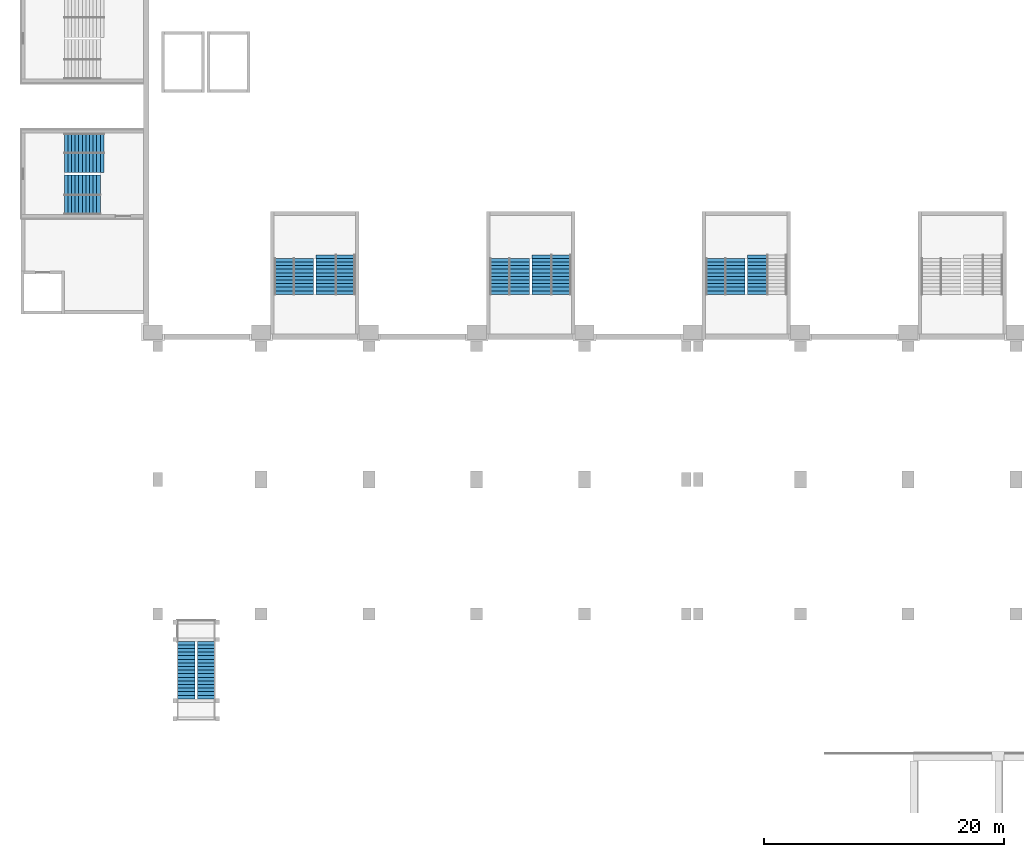
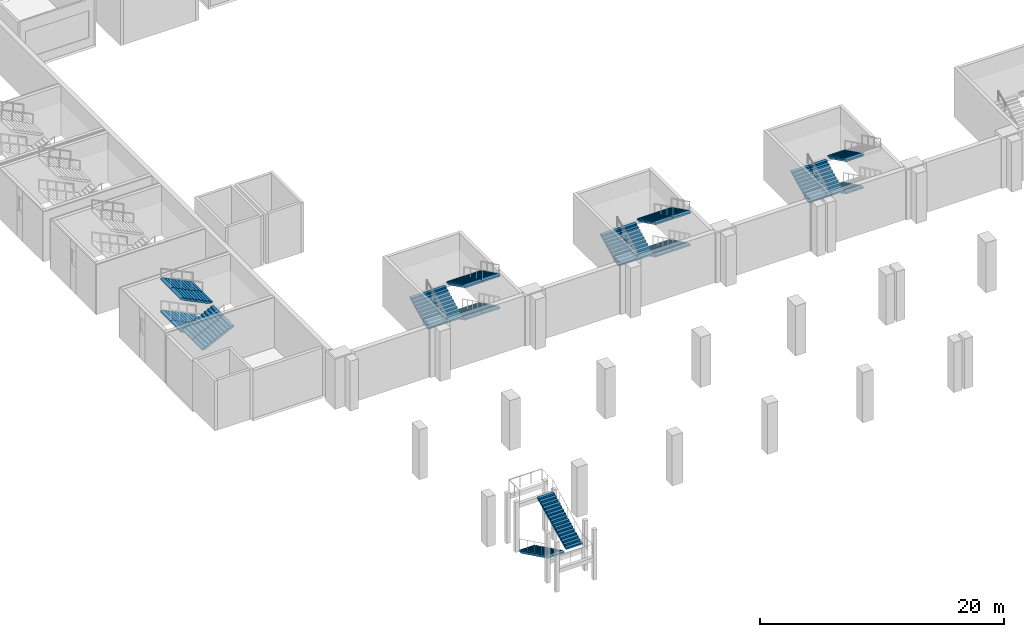
# One storey, part 47 of 67: 24 stair flights, 9 elements without a shape of their own.
"""IFC4 building model written with IfcOpenShell, lengths in metres."""

from ifc_helpers import new_model, si_unit, direction, frame, origin, place, context, subcontext, project, spatial, polyline, outline, extrude, material, type_object, element, aggregate, save


model = new_model("IFC4")

# Units and contexts
model_context = context("Model", 3, precision=1e-05, world=origin(), true_north=direction((0.0, 1.0)))
body_context = subcontext(model_context, "Body", "Model", "MODEL_VIEW")
ifc_project = project(units=[si_unit("LENGTHUNIT", "METRE"), si_unit("AREAUNIT", "SQUARE_METRE"), si_unit("VOLUMEUNIT", "CUBIC_METRE"), si_unit("PLANEANGLEUNIT", "RADIAN"), si_unit("MASSUNIT", "GRAM", prefix="KILO")], contexts=[model_context])

# Site, building, storey
site_placement = place(None, origin())
site = spatial("IfcSite", under=ifc_project, at=site_placement, CompositionType="ELEMENT")
building_placement = place(site_placement, origin())
building = spatial("IfcBuilding", under=site, at=building_placement, Name="Aravalli Gate Trade Fair Centre", CompositionType="ELEMENT")
storey_placement = place(building_placement, frame((0.0, 0.0, 5.0)))
storey = spatial("IfcBuildingStorey", under=building, at=storey_placement, Name="L01", CompositionType="ELEMENT", Elevation=5.0)

# Stair, stair flights
ifc_material_1 = material(Name="Concrete M45", Category="concrete")
stair_type_1 = type_object("IfcStairType", Name="External stair 1500", PredefinedType="HALF_TURN_STAIR", material=ifc_material_1)
stair_1_placement = place(storey_placement, origin())
stair_1 = element("IfcStair", 1, at=stair_1_placement, inside=storey, type_object=stair_type_1, Name="External stair 1 L01", PredefinedType="HALF_TURN_STAIR")
stair_flight_type_1 = type_object("IfcStairFlightType", Name="External stair flight 1500", PredefinedType="STRAIGHT", material=ifc_material_1)
stair_flight_1_placement = place(storey_placement, frame((8.75, 20.199951171875, 0.0), z_axis=(0.0, 0.0, 1.0), x_axis=(0.0, -1.0, 0.0)))
stair_flight_1 = element("IfcStairFlight", 2, at=stair_flight_1_placement, type_object=stair_flight_type_1, Name="SST2 flight 1", NumberOfRisers=17, NumberOfTreads=16, PredefinedType="STRAIGHT", RiserHeight=0.147058824, TreadLength=0.3, context=body_context, shape_type="SweptSolid", body=[
    extrude(outline(polyline([(0.0, 0.0), (0.0, 0.14697265625), (0.300048828125, 0.14697265625), (0.300048828125, 0.294189453125), (0.60009765625, 0.294189453125), (0.60009765625, 0.441162109375), (0.89990234375, 0.441162109375), (0.89990234375, 0.588134765625), (1.199951171875, 0.588134765625), (1.199951171875, 0.7353515625), (1.5, 0.7353515625), (1.5, 0.88232421875), (1.800048828125, 0.88232421875), (1.800048828125, 1.029296875), (2.10009765625, 1.029296875), (2.10009765625, 1.176513671875), (2.39990234375, 1.176513671875), (2.39990234375, 1.323486328125), (2.699951171875, 1.323486328125), (2.699951171875, 1.470703125), (3.0, 1.470703125), (3.0, 1.61767578125), (3.300048828125, 1.61767578125), (3.300048828125, 1.7646484375), (3.60009765625, 1.7646484375), (3.60009765625, 1.911865234375), (3.89990234375, 1.911865234375), (3.89990234375, 2.058837890625), (4.199951171875, 2.058837890625), (4.199951171875, 2.205810546875), (4.5, 2.205810546875), (4.5, 2.35302734375), (4.800048828125, 2.35302734375), (4.800048828125, 2.5), (4.800048828125, 2.18603515625), (0.340576171875, 0.0), (0.0, 0.0)])), frame((0.0, 0.75, 0.0), z_axis=(0.0, -1.0, 0.0), x_axis=(1.0, 0.0, 0.0)), (0.0, 0.0, 1.0), 1.5),
])
stair_flight_2_placement = place(storey_placement, frame((10.449951171875, 15.39990234375, 2.5), z_axis=(0.0, 0.0, 1.0), x_axis=(0.0, 1.0, 0.0)))
stair_flight_2 = element("IfcStairFlight", 3, at=stair_flight_2_placement, type_object=stair_flight_type_1, Name="SST2 flight 2", NumberOfRisers=17, NumberOfTreads=16, PredefinedType="STRAIGHT", RiserHeight=0.147058824, TreadLength=0.3, context=body_context, shape_type="SweptSolid", body=[
    extrude(outline(polyline([(0.0, 0.0), (0.0, 0.14697265625), (0.300048828125, 0.14697265625), (0.300048828125, 0.294189453125), (0.60009765625, 0.294189453125), (0.60009765625, 0.441162109375), (0.89990234375, 0.441162109375), (0.89990234375, 0.588134765625), (1.199951171875, 0.588134765625), (1.199951171875, 0.7353515625), (1.5, 0.7353515625), (1.5, 0.88232421875), (1.800048828125, 0.88232421875), (1.800048828125, 1.029296875), (2.10009765625, 1.029296875), (2.10009765625, 1.176513671875), (2.39990234375, 1.176513671875), (2.39990234375, 1.323486328125), (2.699951171875, 1.323486328125), (2.699951171875, 1.470703125), (3.0, 1.470703125), (3.0, 1.61767578125), (3.300048828125, 1.61767578125), (3.300048828125, 1.7646484375), (3.60009765625, 1.7646484375), (3.60009765625, 1.911865234375), (3.89990234375, 1.911865234375), (3.89990234375, 2.058837890625), (4.199951171875, 2.058837890625), (4.199951171875, 2.205810546875), (4.5, 2.205810546875), (4.5, 2.35302734375), (4.800048828125, 2.35302734375), (4.800048828125, 2.5), (4.800048828125, 2.18603515625), (0.340576171875, 0.0), (0.0, 0.0)])), frame((0.0, 0.75, 0.0), z_axis=(0.0, -1.0, 0.0), x_axis=(1.0, 0.0, 0.0)), (0.0, 0.0, 1.0), 1.5),
])
aggregate(stair_1, [stair_flight_1, stair_flight_2])

ifc_material_2 = material(Name="Concrete M40", Category="concrete")
stair_type_2 = type_object("IfcStairType", Name="Hall exit stair, three flights", PredefinedType="HALF_TURN_STAIR", material=ifc_material_2)
stair_2_placement = place(storey_placement, origin())
stair_2 = element("IfcStair", 4, at=stair_2_placement, inside=storey, type_object=stair_type_2, Name="Exit stair ST-S02 lane A L01", PredefinedType="HALF_TURN_STAIR")
stair_flight_type_2 = type_object("IfcStairFlightType", Name="Hall exit stair flight", PredefinedType="STRAIGHT", material=ifc_material_2)
stair_flight_3_placement = place(storey_placement, frame((20.419921875, 52.449951171875, 0.0), z_axis=(0.0, 0.0, 1.0), x_axis=(0.0, -1.0, 0.0)))
stair_flight_3 = element("IfcStairFlight", 5, at=stair_flight_3_placement, type_object=stair_flight_type_2, Name="ST-S02A flight 1", NumberOfRisers=12, NumberOfTreads=11, PredefinedType="STRAIGHT", RiserHeight=0.147058824, TreadLength=0.3, context=body_context, shape_type="SweptSolid", body=[
    extrude(outline(polyline([(0.0, 0.0), (0.0, 0.14697265625), (0.300048828125, 0.14697265625), (0.300048828125, 0.294189453125), (0.60009765625, 0.294189453125), (0.60009765625, 0.441162109375), (0.89990234375, 0.441162109375), (0.89990234375, 0.588134765625), (1.199951171875, 0.588134765625), (1.199951171875, 0.7353515625), (1.5, 0.7353515625), (1.5, 0.88232421875), (1.800048828125, 0.88232421875), (1.800048828125, 1.029296875), (2.10009765625, 1.029296875), (2.10009765625, 1.176513671875), (2.39990234375, 1.176513671875), (2.39990234375, 1.323486328125), (2.699951171875, 1.323486328125), (2.699951171875, 1.470703125), (3.0, 1.470703125), (3.0, 1.61767578125), (3.300048828125, 1.61767578125), (3.300048828125, 1.7646484375), (3.300048828125, 1.45068359375), (0.340576171875, 0.0), (0.0, 0.0)])), frame((0.0, 0.81982421875, 0.0), z_axis=(0.0, -1.0, 0.0), x_axis=(1.0, 0.0, 0.0)), (0.0, 0.0, 1.0), 1.639892578125),
])
stair_flight_4_placement = place(storey_placement, frame((16.919921875, 49.14990234375, 1.7646484375), z_axis=(0.0, 0.0, 1.0), x_axis=(0.0, 1.0, 0.0)))
stair_flight_4 = element("IfcStairFlight", 6, at=stair_flight_4_placement, type_object=stair_flight_type_2, Name="ST-S02A flight 2", NumberOfRisers=11, NumberOfTreads=10, PredefinedType="STRAIGHT", RiserHeight=0.147058824, TreadLength=0.3, context=body_context, shape_type="SweptSolid", body=[
    extrude(outline(polyline([(0.0, 0.0), (0.0, 0.14697265625), (0.300048828125, 0.14697265625), (0.300048828125, 0.294189453125), (0.60009765625, 0.294189453125), (0.60009765625, 0.441162109375), (0.89990234375, 0.441162109375), (0.89990234375, 0.588134765625), (1.199951171875, 0.588134765625), (1.199951171875, 0.7353515625), (1.5, 0.7353515625), (1.5, 0.88232421875), (1.800048828125, 0.88232421875), (1.800048828125, 1.029296875), (2.10009765625, 1.029296875), (2.10009765625, 1.176513671875), (2.39990234375, 1.176513671875), (2.39990234375, 1.323486328125), (2.699951171875, 1.323486328125), (2.699951171875, 1.470703125), (3.0, 1.470703125), (3.0, 1.61767578125), (3.0, 1.3037109375), (0.340576171875, 0.0), (0.0, 0.0)])), frame((0.0, 0.81982421875, 0.0), z_axis=(0.0, -1.0, 0.0), x_axis=(1.0, 0.0, 0.0)), (0.0, 0.0, 1.0), 1.639892578125),
])
stair_flight_5_placement = place(storey_placement, frame((20.419921875, 52.14990234375, 3.38232421875), z_axis=(0.0, 0.0, 1.0), x_axis=(0.0, -1.0, 0.0)))
stair_flight_5 = element("IfcStairFlight", 7, at=stair_flight_5_placement, type_object=stair_flight_type_2, Name="ST-S02A flight 3", NumberOfRisers=11, NumberOfTreads=10, PredefinedType="STRAIGHT", RiserHeight=0.147058824, TreadLength=0.3, context=body_context, shape_type="SweptSolid", body=[
    extrude(outline(polyline([(0.0, 0.0), (0.0, 0.14697265625), (0.300048828125, 0.14697265625), (0.300048828125, 0.294189453125), (0.60009765625, 0.294189453125), (0.60009765625, 0.441162109375), (0.89990234375, 0.441162109375), (0.89990234375, 0.588134765625), (1.199951171875, 0.588134765625), (1.199951171875, 0.7353515625), (1.5, 0.7353515625), (1.5, 0.88232421875), (1.800048828125, 0.88232421875), (1.800048828125, 1.029296875), (2.10009765625, 1.029296875), (2.10009765625, 1.176513671875), (2.39990234375, 1.176513671875), (2.39990234375, 1.323486328125), (2.699951171875, 1.323486328125), (2.699951171875, 1.470703125), (3.0, 1.470703125), (3.0, 1.61767578125), (3.0, 1.3037109375), (0.340576171875, 0.0), (0.0, 0.0)])), frame((0.0, 0.81982421875, 0.0), z_axis=(0.0, -1.0, 0.0), x_axis=(1.0, 0.0, 0.0)), (0.0, 0.0, 1.0), 1.639892578125),
])
aggregate(stair_2, [stair_flight_3, stair_flight_4, stair_flight_5])

stair_3_placement = place(storey_placement, origin())
stair_3 = element("IfcStair", 8, at=stair_3_placement, inside=storey, type_object=stair_type_2, Name="Exit stair ST-S02 lane B L01", PredefinedType="HALF_TURN_STAIR")
stair_flight_6_placement = place(storey_placement, frame((22.080078125, 52.449951171875, 0.0), z_axis=(0.0, 0.0, 1.0), x_axis=(0.0, -1.0, 0.0)))
stair_flight_6 = element("IfcStairFlight", 9, at=stair_flight_6_placement, type_object=stair_flight_type_2, Name="ST-S02B flight 1", NumberOfRisers=12, NumberOfTreads=11, PredefinedType="STRAIGHT", RiserHeight=0.147058824, TreadLength=0.3, context=body_context, shape_type="SweptSolid", body=[
    extrude(outline(polyline([(0.0, 0.0), (0.0, 0.14697265625), (0.300048828125, 0.14697265625), (0.300048828125, 0.294189453125), (0.60009765625, 0.294189453125), (0.60009765625, 0.441162109375), (0.89990234375, 0.441162109375), (0.89990234375, 0.588134765625), (1.199951171875, 0.588134765625), (1.199951171875, 0.7353515625), (1.5, 0.7353515625), (1.5, 0.88232421875), (1.800048828125, 0.88232421875), (1.800048828125, 1.029296875), (2.10009765625, 1.029296875), (2.10009765625, 1.176513671875), (2.39990234375, 1.176513671875), (2.39990234375, 1.323486328125), (2.699951171875, 1.323486328125), (2.699951171875, 1.470703125), (3.0, 1.470703125), (3.0, 1.61767578125), (3.300048828125, 1.61767578125), (3.300048828125, 1.7646484375), (3.300048828125, 1.45068359375), (0.340576171875, 0.0), (0.0, 0.0)])), frame((0.0, 0.81982421875, 0.0), z_axis=(0.0, -1.0, 0.0), x_axis=(1.0, 0.0, 0.0)), (0.0, 0.0, 1.0), 1.639892578125),
])
stair_flight_7_placement = place(storey_placement, frame((18.580078125, 49.14990234375, 1.7646484375), z_axis=(0.0, 0.0, 1.0), x_axis=(0.0, 1.0, 0.0)))
stair_flight_7 = element("IfcStairFlight", 10, at=stair_flight_7_placement, type_object=stair_flight_type_2, Name="ST-S02B flight 2", NumberOfRisers=11, NumberOfTreads=10, PredefinedType="STRAIGHT", RiserHeight=0.147058824, TreadLength=0.3, context=body_context, shape_type="SweptSolid", body=[
    extrude(outline(polyline([(0.0, 0.0), (0.0, 0.14697265625), (0.300048828125, 0.14697265625), (0.300048828125, 0.294189453125), (0.60009765625, 0.294189453125), (0.60009765625, 0.441162109375), (0.89990234375, 0.441162109375), (0.89990234375, 0.588134765625), (1.199951171875, 0.588134765625), (1.199951171875, 0.7353515625), (1.5, 0.7353515625), (1.5, 0.88232421875), (1.800048828125, 0.88232421875), (1.800048828125, 1.029296875), (2.10009765625, 1.029296875), (2.10009765625, 1.176513671875), (2.39990234375, 1.176513671875), (2.39990234375, 1.323486328125), (2.699951171875, 1.323486328125), (2.699951171875, 1.470703125), (3.0, 1.470703125), (3.0, 1.61767578125), (3.0, 1.3037109375), (0.340576171875, 0.0), (0.0, 0.0)])), frame((0.0, 0.81982421875, 0.0), z_axis=(0.0, -1.0, 0.0), x_axis=(1.0, 0.0, 0.0)), (0.0, 0.0, 1.0), 1.639892578125),
])
stair_flight_8_placement = place(storey_placement, frame((22.080078125, 52.14990234375, 3.38232421875), z_axis=(0.0, 0.0, 1.0), x_axis=(0.0, -1.0, 0.0)))
stair_flight_8 = element("IfcStairFlight", 11, at=stair_flight_8_placement, type_object=stair_flight_type_2, Name="ST-S02B flight 3", NumberOfRisers=11, NumberOfTreads=10, PredefinedType="STRAIGHT", RiserHeight=0.147058824, TreadLength=0.3, context=body_context, shape_type="SweptSolid", body=[
    extrude(outline(polyline([(0.0, 0.0), (0.0, 0.14697265625), (0.300048828125, 0.14697265625), (0.300048828125, 0.294189453125), (0.60009765625, 0.294189453125), (0.60009765625, 0.441162109375), (0.89990234375, 0.441162109375), (0.89990234375, 0.588134765625), (1.199951171875, 0.588134765625), (1.199951171875, 0.7353515625), (1.5, 0.7353515625), (1.5, 0.88232421875), (1.800048828125, 0.88232421875), (1.800048828125, 1.029296875), (2.10009765625, 1.029296875), (2.10009765625, 1.176513671875), (2.39990234375, 1.176513671875), (2.39990234375, 1.323486328125), (2.699951171875, 1.323486328125), (2.699951171875, 1.470703125), (3.0, 1.470703125), (3.0, 1.61767578125), (3.0, 1.3037109375), (0.340576171875, 0.0), (0.0, 0.0)])), frame((0.0, 0.81982421875, 0.0), z_axis=(0.0, -1.0, 0.0), x_axis=(1.0, 0.0, 0.0)), (0.0, 0.0, 1.0), 1.639892578125),
])
aggregate(stair_3, [stair_flight_6, stair_flight_7, stair_flight_8])

stair_4_placement = place(storey_placement, origin())
stair_4 = element("IfcStair", 12, at=stair_4_placement, inside=storey, type_object=stair_type_2, Name="Exit stair ST-S04 lane A L01", PredefinedType="HALF_TURN_STAIR")
stair_flight_9_placement = place(storey_placement, frame((38.419921875, 52.449951171875, 0.0), z_axis=(0.0, 0.0, 1.0), x_axis=(0.0, -1.0, 0.0)))
stair_flight_9 = element("IfcStairFlight", 13, at=stair_flight_9_placement, type_object=stair_flight_type_2, Name="ST-S04A flight 1", NumberOfRisers=12, NumberOfTreads=11, PredefinedType="STRAIGHT", RiserHeight=0.147058824, TreadLength=0.3, context=body_context, shape_type="SweptSolid", body=[
    extrude(outline(polyline([(0.0, 0.0), (0.0, 0.14697265625), (0.300048828125, 0.14697265625), (0.300048828125, 0.294189453125), (0.60009765625, 0.294189453125), (0.60009765625, 0.441162109375), (0.89990234375, 0.441162109375), (0.89990234375, 0.588134765625), (1.199951171875, 0.588134765625), (1.199951171875, 0.7353515625), (1.5, 0.7353515625), (1.5, 0.88232421875), (1.800048828125, 0.88232421875), (1.800048828125, 1.029296875), (2.10009765625, 1.029296875), (2.10009765625, 1.176513671875), (2.39990234375, 1.176513671875), (2.39990234375, 1.323486328125), (2.699951171875, 1.323486328125), (2.699951171875, 1.470703125), (3.0, 1.470703125), (3.0, 1.61767578125), (3.300048828125, 1.61767578125), (3.300048828125, 1.7646484375), (3.300048828125, 1.45068359375), (0.340576171875, 0.0), (0.0, 0.0)])), frame((0.0, 0.81982421875, 0.0), z_axis=(0.0, -1.0, 0.0), x_axis=(1.0, 0.0, 0.0)), (0.0, 0.0, 1.0), 1.639892578125),
])
stair_flight_10_placement = place(storey_placement, frame((34.919921875, 49.14990234375, 1.7646484375), z_axis=(0.0, 0.0, 1.0), x_axis=(0.0, 1.0, 0.0)))
stair_flight_10 = element("IfcStairFlight", 14, at=stair_flight_10_placement, type_object=stair_flight_type_2, Name="ST-S04A flight 2", NumberOfRisers=11, NumberOfTreads=10, PredefinedType="STRAIGHT", RiserHeight=0.147058824, TreadLength=0.3, context=body_context, shape_type="SweptSolid", body=[
    extrude(outline(polyline([(0.0, 0.0), (0.0, 0.14697265625), (0.300048828125, 0.14697265625), (0.300048828125, 0.294189453125), (0.60009765625, 0.294189453125), (0.60009765625, 0.441162109375), (0.89990234375, 0.441162109375), (0.89990234375, 0.588134765625), (1.199951171875, 0.588134765625), (1.199951171875, 0.7353515625), (1.5, 0.7353515625), (1.5, 0.88232421875), (1.800048828125, 0.88232421875), (1.800048828125, 1.029296875), (2.10009765625, 1.029296875), (2.10009765625, 1.176513671875), (2.39990234375, 1.176513671875), (2.39990234375, 1.323486328125), (2.699951171875, 1.323486328125), (2.699951171875, 1.470703125), (3.0, 1.470703125), (3.0, 1.61767578125), (3.0, 1.3037109375), (0.340576171875, 0.0), (0.0, 0.0)])), frame((0.0, 0.81982421875, 0.0), z_axis=(0.0, -1.0, 0.0), x_axis=(1.0, 0.0, 0.0)), (0.0, 0.0, 1.0), 1.639892578125),
])
stair_flight_11_placement = place(storey_placement, frame((38.419921875, 52.14990234375, 3.38232421875), z_axis=(0.0, 0.0, 1.0), x_axis=(0.0, -1.0, 0.0)))
stair_flight_11 = element("IfcStairFlight", 15, at=stair_flight_11_placement, type_object=stair_flight_type_2, Name="ST-S04A flight 3", NumberOfRisers=11, NumberOfTreads=10, PredefinedType="STRAIGHT", RiserHeight=0.147058824, TreadLength=0.3, context=body_context, shape_type="SweptSolid", body=[
    extrude(outline(polyline([(0.0, 0.0), (0.0, 0.14697265625), (0.300048828125, 0.14697265625), (0.300048828125, 0.294189453125), (0.60009765625, 0.294189453125), (0.60009765625, 0.441162109375), (0.89990234375, 0.441162109375), (0.89990234375, 0.588134765625), (1.199951171875, 0.588134765625), (1.199951171875, 0.7353515625), (1.5, 0.7353515625), (1.5, 0.88232421875), (1.800048828125, 0.88232421875), (1.800048828125, 1.029296875), (2.10009765625, 1.029296875), (2.10009765625, 1.176513671875), (2.39990234375, 1.176513671875), (2.39990234375, 1.323486328125), (2.699951171875, 1.323486328125), (2.699951171875, 1.470703125), (3.0, 1.470703125), (3.0, 1.61767578125), (3.0, 1.3037109375), (0.340576171875, 0.0), (0.0, 0.0)])), frame((0.0, 0.81982421875, 0.0), z_axis=(0.0, -1.0, 0.0), x_axis=(1.0, 0.0, 0.0)), (0.0, 0.0, 1.0), 1.639892578125),
])
aggregate(stair_4, [stair_flight_9, stair_flight_10, stair_flight_11])

stair_5_placement = place(storey_placement, origin())
stair_5 = element("IfcStair", 16, at=stair_5_placement, inside=storey, type_object=stair_type_2, Name="Exit stair ST-S04 lane B L01", PredefinedType="HALF_TURN_STAIR")
stair_flight_12_placement = place(storey_placement, frame((40.080078125, 52.449951171875, 0.0), z_axis=(0.0, 0.0, 1.0), x_axis=(0.0, -1.0, 0.0)))
stair_flight_12 = element("IfcStairFlight", 17, at=stair_flight_12_placement, type_object=stair_flight_type_2, Name="ST-S04B flight 1", NumberOfRisers=12, NumberOfTreads=11, PredefinedType="STRAIGHT", RiserHeight=0.147058824, TreadLength=0.3, context=body_context, shape_type="SweptSolid", body=[
    extrude(outline(polyline([(0.0, 0.0), (0.0, 0.14697265625), (0.300048828125, 0.14697265625), (0.300048828125, 0.294189453125), (0.60009765625, 0.294189453125), (0.60009765625, 0.441162109375), (0.89990234375, 0.441162109375), (0.89990234375, 0.588134765625), (1.199951171875, 0.588134765625), (1.199951171875, 0.7353515625), (1.5, 0.7353515625), (1.5, 0.88232421875), (1.800048828125, 0.88232421875), (1.800048828125, 1.029296875), (2.10009765625, 1.029296875), (2.10009765625, 1.176513671875), (2.39990234375, 1.176513671875), (2.39990234375, 1.323486328125), (2.699951171875, 1.323486328125), (2.699951171875, 1.470703125), (3.0, 1.470703125), (3.0, 1.61767578125), (3.300048828125, 1.61767578125), (3.300048828125, 1.7646484375), (3.300048828125, 1.45068359375), (0.340576171875, 0.0), (0.0, 0.0)])), frame((0.0, 0.81982421875, 0.0), z_axis=(0.0, -1.0, 0.0), x_axis=(1.0, 0.0, 0.0)), (0.0, 0.0, 1.0), 1.639892578125),
])
stair_flight_13_placement = place(storey_placement, frame((36.580078125, 49.14990234375, 1.7646484375), z_axis=(0.0, 0.0, 1.0), x_axis=(0.0, 1.0, 0.0)))
stair_flight_13 = element("IfcStairFlight", 18, at=stair_flight_13_placement, type_object=stair_flight_type_2, Name="ST-S04B flight 2", NumberOfRisers=11, NumberOfTreads=10, PredefinedType="STRAIGHT", RiserHeight=0.147058824, TreadLength=0.3, context=body_context, shape_type="SweptSolid", body=[
    extrude(outline(polyline([(0.0, 0.0), (0.0, 0.14697265625), (0.300048828125, 0.14697265625), (0.300048828125, 0.294189453125), (0.60009765625, 0.294189453125), (0.60009765625, 0.441162109375), (0.89990234375, 0.441162109375), (0.89990234375, 0.588134765625), (1.199951171875, 0.588134765625), (1.199951171875, 0.7353515625), (1.5, 0.7353515625), (1.5, 0.88232421875), (1.800048828125, 0.88232421875), (1.800048828125, 1.029296875), (2.10009765625, 1.029296875), (2.10009765625, 1.176513671875), (2.39990234375, 1.176513671875), (2.39990234375, 1.323486328125), (2.699951171875, 1.323486328125), (2.699951171875, 1.470703125), (3.0, 1.470703125), (3.0, 1.61767578125), (3.0, 1.3037109375), (0.340576171875, 0.0), (0.0, 0.0)])), frame((0.0, 0.81982421875, 0.0), z_axis=(0.0, -1.0, 0.0), x_axis=(1.0, 0.0, 0.0)), (0.0, 0.0, 1.0), 1.639892578125),
])
stair_flight_14_placement = place(storey_placement, frame((40.080078125, 52.14990234375, 3.38232421875), z_axis=(0.0, 0.0, 1.0), x_axis=(0.0, -1.0, 0.0)))
stair_flight_14 = element("IfcStairFlight", 19, at=stair_flight_14_placement, type_object=stair_flight_type_2, Name="ST-S04B flight 3", NumberOfRisers=11, NumberOfTreads=10, PredefinedType="STRAIGHT", RiserHeight=0.147058824, TreadLength=0.3, context=body_context, shape_type="SweptSolid", body=[
    extrude(outline(polyline([(0.0, 0.0), (0.0, 0.14697265625), (0.300048828125, 0.14697265625), (0.300048828125, 0.294189453125), (0.60009765625, 0.294189453125), (0.60009765625, 0.441162109375), (0.89990234375, 0.441162109375), (0.89990234375, 0.588134765625), (1.199951171875, 0.588134765625), (1.199951171875, 0.7353515625), (1.5, 0.7353515625), (1.5, 0.88232421875), (1.800048828125, 0.88232421875), (1.800048828125, 1.029296875), (2.10009765625, 1.029296875), (2.10009765625, 1.176513671875), (2.39990234375, 1.176513671875), (2.39990234375, 1.323486328125), (2.699951171875, 1.323486328125), (2.699951171875, 1.470703125), (3.0, 1.470703125), (3.0, 1.61767578125), (3.0, 1.3037109375), (0.340576171875, 0.0), (0.0, 0.0)])), frame((0.0, 0.81982421875, 0.0), z_axis=(0.0, -1.0, 0.0), x_axis=(1.0, 0.0, 0.0)), (0.0, 0.0, 1.0), 1.639892578125),
])
aggregate(stair_5, [stair_flight_12, stair_flight_13, stair_flight_14])

stair_6_placement = place(storey_placement, origin())
stair_6 = element("IfcStair", 20, at=stair_6_placement, inside=storey, type_object=stair_type_2, Name="Exit stair ST-S06 lane A L01", PredefinedType="HALF_TURN_STAIR")
stair_flight_15_placement = place(storey_placement, frame((56.419921875, 52.449951171875, 0.0), z_axis=(0.0, 0.0, 1.0), x_axis=(0.0, -1.0, 0.0)))
stair_flight_15 = element("IfcStairFlight", 21, at=stair_flight_15_placement, type_object=stair_flight_type_2, Name="ST-S06A flight 1", NumberOfRisers=12, NumberOfTreads=11, PredefinedType="STRAIGHT", RiserHeight=0.147058824, TreadLength=0.3, context=body_context, shape_type="SweptSolid", body=[
    extrude(outline(polyline([(0.0, 0.0), (0.0, 0.14697265625), (0.300048828125, 0.14697265625), (0.300048828125, 0.294189453125), (0.60009765625, 0.294189453125), (0.60009765625, 0.441162109375), (0.89990234375, 0.441162109375), (0.89990234375, 0.588134765625), (1.199951171875, 0.588134765625), (1.199951171875, 0.7353515625), (1.5, 0.7353515625), (1.5, 0.88232421875), (1.800048828125, 0.88232421875), (1.800048828125, 1.029296875), (2.10009765625, 1.029296875), (2.10009765625, 1.176513671875), (2.39990234375, 1.176513671875), (2.39990234375, 1.323486328125), (2.699951171875, 1.323486328125), (2.699951171875, 1.470703125), (3.0, 1.470703125), (3.0, 1.61767578125), (3.300048828125, 1.61767578125), (3.300048828125, 1.7646484375), (3.300048828125, 1.45068359375), (0.340576171875, 0.0), (0.0, 0.0)])), frame((0.0, 0.81982421875, 0.0), z_axis=(0.0, -1.0, 0.0), x_axis=(1.0, 0.0, 0.0)), (0.0, 0.0, 1.0), 1.639892578125),
])
stair_flight_16_placement = place(storey_placement, frame((52.919921875, 49.14990234375, 1.7646484375), z_axis=(0.0, 0.0, 1.0), x_axis=(0.0, 1.0, 0.0)))
stair_flight_16 = element("IfcStairFlight", 22, at=stair_flight_16_placement, type_object=stair_flight_type_2, Name="ST-S06A flight 2", NumberOfRisers=11, NumberOfTreads=10, PredefinedType="STRAIGHT", RiserHeight=0.147058824, TreadLength=0.3, context=body_context, shape_type="SweptSolid", body=[
    extrude(outline(polyline([(0.0, 0.0), (0.0, 0.14697265625), (0.300048828125, 0.14697265625), (0.300048828125, 0.294189453125), (0.60009765625, 0.294189453125), (0.60009765625, 0.441162109375), (0.89990234375, 0.441162109375), (0.89990234375, 0.588134765625), (1.199951171875, 0.588134765625), (1.199951171875, 0.7353515625), (1.5, 0.7353515625), (1.5, 0.88232421875), (1.800048828125, 0.88232421875), (1.800048828125, 1.029296875), (2.10009765625, 1.029296875), (2.10009765625, 1.176513671875), (2.39990234375, 1.176513671875), (2.39990234375, 1.323486328125), (2.699951171875, 1.323486328125), (2.699951171875, 1.470703125), (3.0, 1.470703125), (3.0, 1.61767578125), (3.0, 1.3037109375), (0.340576171875, 0.0), (0.0, 0.0)])), frame((0.0, 0.81982421875, 0.0), z_axis=(0.0, -1.0, 0.0), x_axis=(1.0, 0.0, 0.0)), (0.0, 0.0, 1.0), 1.639892578125),
])
stair_flight_17_placement = place(storey_placement, frame((56.419921875, 52.14990234375, 3.38232421875), z_axis=(0.0, 0.0, 1.0), x_axis=(0.0, -1.0, 0.0)))
stair_flight_17 = element("IfcStairFlight", 23, at=stair_flight_17_placement, type_object=stair_flight_type_2, Name="ST-S06A flight 3", NumberOfRisers=11, NumberOfTreads=10, PredefinedType="STRAIGHT", RiserHeight=0.147058824, TreadLength=0.3, context=body_context, shape_type="SweptSolid", body=[
    extrude(outline(polyline([(0.0, 0.0), (0.0, 0.14697265625), (0.300048828125, 0.14697265625), (0.300048828125, 0.294189453125), (0.60009765625, 0.294189453125), (0.60009765625, 0.441162109375), (0.89990234375, 0.441162109375), (0.89990234375, 0.588134765625), (1.199951171875, 0.588134765625), (1.199951171875, 0.7353515625), (1.5, 0.7353515625), (1.5, 0.88232421875), (1.800048828125, 0.88232421875), (1.800048828125, 1.029296875), (2.10009765625, 1.029296875), (2.10009765625, 1.176513671875), (2.39990234375, 1.176513671875), (2.39990234375, 1.323486328125), (2.699951171875, 1.323486328125), (2.699951171875, 1.470703125), (3.0, 1.470703125), (3.0, 1.61767578125), (3.0, 1.3037109375), (0.340576171875, 0.0), (0.0, 0.0)])), frame((0.0, 0.81982421875, 0.0), z_axis=(0.0, -1.0, 0.0), x_axis=(1.0, 0.0, 0.0)), (0.0, 0.0, 1.0), 1.639892578125),
])
aggregate(stair_6, [stair_flight_15, stair_flight_16, stair_flight_17])

# Stair, stair flight
stair_7_placement = place(storey_placement, origin())
stair_7 = element("IfcStair", 24, at=stair_7_placement, inside=storey, type_object=stair_type_2, Name="Exit stair ST-S06 lane B L01", PredefinedType="HALF_TURN_STAIR")
stair_flight_18_placement = place(storey_placement, frame((54.580078125, 49.14990234375, 1.7646484375), z_axis=(0.0, 0.0, 1.0), x_axis=(0.0, 1.0, 0.0)))
stair_flight_18 = element("IfcStairFlight", 25, at=stair_flight_18_placement, type_object=stair_flight_type_2, Name="ST-S06B flight 2", NumberOfRisers=11, NumberOfTreads=10, PredefinedType="STRAIGHT", RiserHeight=0.147058824, TreadLength=0.3, context=body_context, shape_type="SweptSolid", body=[
    extrude(outline(polyline([(0.0, 0.0), (0.0, 0.14697265625), (0.300048828125, 0.14697265625), (0.300048828125, 0.294189453125), (0.60009765625, 0.294189453125), (0.60009765625, 0.441162109375), (0.89990234375, 0.441162109375), (0.89990234375, 0.588134765625), (1.199951171875, 0.588134765625), (1.199951171875, 0.7353515625), (1.5, 0.7353515625), (1.5, 0.88232421875), (1.800048828125, 0.88232421875), (1.800048828125, 1.029296875), (2.10009765625, 1.029296875), (2.10009765625, 1.176513671875), (2.39990234375, 1.176513671875), (2.39990234375, 1.323486328125), (2.699951171875, 1.323486328125), (2.699951171875, 1.470703125), (3.0, 1.470703125), (3.0, 1.61767578125), (3.0, 1.3037109375), (0.340576171875, 0.0), (0.0, 0.0)])), frame((0.0, 0.81982421875, 0.0), z_axis=(0.0, -1.0, 0.0), x_axis=(1.0, 0.0, 0.0)), (0.0, 0.0, 1.0), 1.639892578125),
])
aggregate(stair_7, [stair_flight_18])

# Stair, stair flights
stair_8_placement = place(storey_placement, origin())
stair_8 = element("IfcStair", 26, at=stair_8_placement, inside=storey, type_object=stair_type_2, Name="Exit stair ST-W1 lane A L01", PredefinedType="HALF_TURN_STAIR")
stair_flight_19_placement = place(storey_placement, frame((1.89990234375, 60.1201171875, 0.0), z_axis=(0.0, 0.0, 1.0), x_axis=(-1.0, 0.0, 0.0)))
stair_flight_19 = element("IfcStairFlight", 27, at=stair_flight_19_placement, type_object=stair_flight_type_2, Name="ST-W1A flight 1", NumberOfRisers=12, NumberOfTreads=11, PredefinedType="STRAIGHT", RiserHeight=0.147058824, TreadLength=0.3, context=body_context, shape_type="SweptSolid", body=[
    extrude(outline(polyline([(0.0, 0.0), (0.0, 0.14697265625), (0.300048828125, 0.14697265625), (0.300048828125, 0.294189453125), (0.60009765625, 0.294189453125), (0.60009765625, 0.441162109375), (0.89990234375, 0.441162109375), (0.89990234375, 0.588134765625), (1.199951171875, 0.588134765625), (1.199951171875, 0.7353515625), (1.5, 0.7353515625), (1.5, 0.88232421875), (1.800048828125, 0.88232421875), (1.800048828125, 1.029296875), (2.10009765625, 1.029296875), (2.10009765625, 1.176513671875), (2.39990234375, 1.176513671875), (2.39990234375, 1.323486328125), (2.699951171875, 1.323486328125), (2.699951171875, 1.470703125), (3.0, 1.470703125), (3.0, 1.61767578125), (3.300048828125, 1.61767578125), (3.300048828125, 1.7646484375), (3.300048828125, 1.45068359375), (0.340576171875, 0.0), (0.0, 0.0)])), frame((0.0, 0.81982421875, 0.0), z_axis=(0.0, -1.0, 0.0), x_axis=(1.0, 0.0, 0.0)), (0.0, 0.0, 1.0), 1.639892578125),
])
stair_flight_20_placement = place(storey_placement, frame((-1.39990234375, 56.6201171875, 1.7646484375), z_axis=(0.0, 0.0, 1.0), x_axis=(1.0, 0.0, 0.0)))
stair_flight_20 = element("IfcStairFlight", 28, at=stair_flight_20_placement, type_object=stair_flight_type_2, Name="ST-W1A flight 2", NumberOfRisers=11, NumberOfTreads=10, PredefinedType="STRAIGHT", RiserHeight=0.147058824, TreadLength=0.3, context=body_context, shape_type="SweptSolid", body=[
    extrude(outline(polyline([(0.0, 0.0), (0.0, 0.14697265625), (0.300048828125, 0.14697265625), (0.300048828125, 0.294189453125), (0.60009765625, 0.294189453125), (0.60009765625, 0.441162109375), (0.89990234375, 0.441162109375), (0.89990234375, 0.588134765625), (1.199951171875, 0.588134765625), (1.199951171875, 0.7353515625), (1.5, 0.7353515625), (1.5, 0.88232421875), (1.800048828125, 0.88232421875), (1.800048828125, 1.029296875), (2.10009765625, 1.029296875), (2.10009765625, 1.176513671875), (2.39990234375, 1.176513671875), (2.39990234375, 1.323486328125), (2.699951171875, 1.323486328125), (2.699951171875, 1.470703125), (3.0, 1.470703125), (3.0, 1.61767578125), (3.0, 1.3037109375), (0.340576171875, 0.0), (0.0, 0.0)])), frame((0.0, 0.81982421875, 0.0), z_axis=(0.0, -1.0, 0.0), x_axis=(1.0, 0.0, 0.0)), (0.0, 0.0, 1.0), 1.639892578125),
])
stair_flight_21_placement = place(storey_placement, frame((1.60009765625, 60.1201171875, 3.38232421875), z_axis=(0.0, 0.0, 1.0), x_axis=(-1.0, 0.0, 0.0)))
stair_flight_21 = element("IfcStairFlight", 29, at=stair_flight_21_placement, type_object=stair_flight_type_2, Name="ST-W1A flight 3", NumberOfRisers=11, NumberOfTreads=10, PredefinedType="STRAIGHT", RiserHeight=0.147058824, TreadLength=0.3, context=body_context, shape_type="SweptSolid", body=[
    extrude(outline(polyline([(0.0, 0.0), (0.0, 0.14697265625), (0.300048828125, 0.14697265625), (0.300048828125, 0.294189453125), (0.60009765625, 0.294189453125), (0.60009765625, 0.441162109375), (0.89990234375, 0.441162109375), (0.89990234375, 0.588134765625), (1.199951171875, 0.588134765625), (1.199951171875, 0.7353515625), (1.5, 0.7353515625), (1.5, 0.88232421875), (1.800048828125, 0.88232421875), (1.800048828125, 1.029296875), (2.10009765625, 1.029296875), (2.10009765625, 1.176513671875), (2.39990234375, 1.176513671875), (2.39990234375, 1.323486328125), (2.699951171875, 1.323486328125), (2.699951171875, 1.470703125), (3.0, 1.470703125), (3.0, 1.61767578125), (3.0, 1.3037109375), (0.340576171875, 0.0), (0.0, 0.0)])), frame((0.0, 0.81982421875, 0.0), z_axis=(0.0, -1.0, 0.0), x_axis=(1.0, 0.0, 0.0)), (0.0, 0.0, 1.0), 1.639892578125),
])
aggregate(stair_8, [stair_flight_19, stair_flight_20, stair_flight_21])

stair_9_placement = place(storey_placement, origin())
stair_9 = element("IfcStair", 30, at=stair_9_placement, inside=storey, type_object=stair_type_2, Name="Exit stair ST-W1 lane B L01", PredefinedType="HALF_TURN_STAIR")
stair_flight_22_placement = place(storey_placement, frame((1.89990234375, 61.780029296875, 0.0), z_axis=(0.0, 0.0, 1.0), x_axis=(-1.0, 0.0, 0.0)))
stair_flight_22 = element("IfcStairFlight", 31, at=stair_flight_22_placement, type_object=stair_flight_type_2, Name="ST-W1B flight 1", NumberOfRisers=12, NumberOfTreads=11, PredefinedType="STRAIGHT", RiserHeight=0.147058824, TreadLength=0.3, context=body_context, shape_type="SweptSolid", body=[
    extrude(outline(polyline([(0.0, 0.0), (0.0, 0.14697265625), (0.300048828125, 0.14697265625), (0.300048828125, 0.294189453125), (0.60009765625, 0.294189453125), (0.60009765625, 0.441162109375), (0.89990234375, 0.441162109375), (0.89990234375, 0.588134765625), (1.199951171875, 0.588134765625), (1.199951171875, 0.7353515625), (1.5, 0.7353515625), (1.5, 0.88232421875), (1.800048828125, 0.88232421875), (1.800048828125, 1.029296875), (2.10009765625, 1.029296875), (2.10009765625, 1.176513671875), (2.39990234375, 1.176513671875), (2.39990234375, 1.323486328125), (2.699951171875, 1.323486328125), (2.699951171875, 1.470703125), (3.0, 1.470703125), (3.0, 1.61767578125), (3.300048828125, 1.61767578125), (3.300048828125, 1.7646484375), (3.300048828125, 1.45068359375), (0.340576171875, 0.0), (0.0, 0.0)])), frame((0.0, 0.81982421875, 0.0), z_axis=(0.0, -1.0, 0.0), x_axis=(1.0, 0.0, 0.0)), (0.0, 0.0, 1.0), 1.639892578125),
])
stair_flight_23_placement = place(storey_placement, frame((-1.39990234375, 58.280029296875, 1.7646484375), z_axis=(0.0, 0.0, 1.0), x_axis=(1.0, 0.0, 0.0)))
stair_flight_23 = element("IfcStairFlight", 32, at=stair_flight_23_placement, type_object=stair_flight_type_2, Name="ST-W1B flight 2", NumberOfRisers=11, NumberOfTreads=10, PredefinedType="STRAIGHT", RiserHeight=0.147058824, TreadLength=0.3, context=body_context, shape_type="SweptSolid", body=[
    extrude(outline(polyline([(0.0, 0.0), (0.0, 0.14697265625), (0.300048828125, 0.14697265625), (0.300048828125, 0.294189453125), (0.60009765625, 0.294189453125), (0.60009765625, 0.441162109375), (0.89990234375, 0.441162109375), (0.89990234375, 0.588134765625), (1.199951171875, 0.588134765625), (1.199951171875, 0.7353515625), (1.5, 0.7353515625), (1.5, 0.88232421875), (1.800048828125, 0.88232421875), (1.800048828125, 1.029296875), (2.10009765625, 1.029296875), (2.10009765625, 1.176513671875), (2.39990234375, 1.176513671875), (2.39990234375, 1.323486328125), (2.699951171875, 1.323486328125), (2.699951171875, 1.470703125), (3.0, 1.470703125), (3.0, 1.61767578125), (3.0, 1.3037109375), (0.340576171875, 0.0), (0.0, 0.0)])), frame((0.0, 0.81982421875, 0.0), z_axis=(0.0, -1.0, 0.0), x_axis=(1.0, 0.0, 0.0)), (0.0, 0.0, 1.0), 1.639892578125),
])
stair_flight_24_placement = place(storey_placement, frame((1.60009765625, 61.780029296875, 3.38232421875), z_axis=(0.0, 0.0, 1.0), x_axis=(-1.0, 0.0, 0.0)))
stair_flight_24 = element("IfcStairFlight", 33, at=stair_flight_24_placement, type_object=stair_flight_type_2, Name="ST-W1B flight 3", NumberOfRisers=11, NumberOfTreads=10, PredefinedType="STRAIGHT", RiserHeight=0.147058824, TreadLength=0.3, context=body_context, shape_type="SweptSolid", body=[
    extrude(outline(polyline([(0.0, 0.0), (0.0, 0.14697265625), (0.300048828125, 0.14697265625), (0.300048828125, 0.294189453125), (0.60009765625, 0.294189453125), (0.60009765625, 0.441162109375), (0.89990234375, 0.441162109375), (0.89990234375, 0.588134765625), (1.199951171875, 0.588134765625), (1.199951171875, 0.7353515625), (1.5, 0.7353515625), (1.5, 0.88232421875), (1.800048828125, 0.88232421875), (1.800048828125, 1.029296875), (2.10009765625, 1.029296875), (2.10009765625, 1.176513671875), (2.39990234375, 1.176513671875), (2.39990234375, 1.323486328125), (2.699951171875, 1.323486328125), (2.699951171875, 1.470703125), (3.0, 1.470703125), (3.0, 1.61767578125), (3.0, 1.3037109375), (0.340576171875, 0.0), (0.0, 0.0)])), frame((0.0, 0.81982421875, 0.0), z_axis=(0.0, -1.0, 0.0), x_axis=(1.0, 0.0, 0.0)), (0.0, 0.0, 1.0), 1.639892578125),
])
aggregate(stair_9, [stair_flight_22, stair_flight_23, stair_flight_24])

save(model, "model.ifc")
